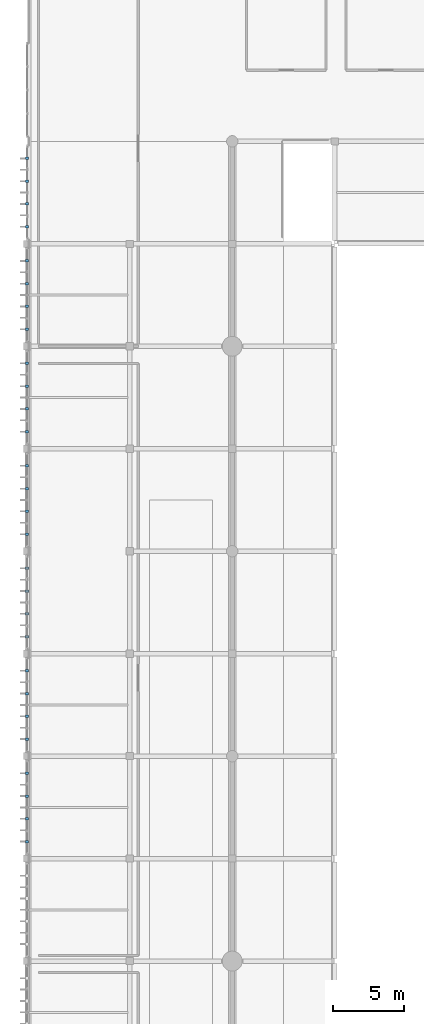
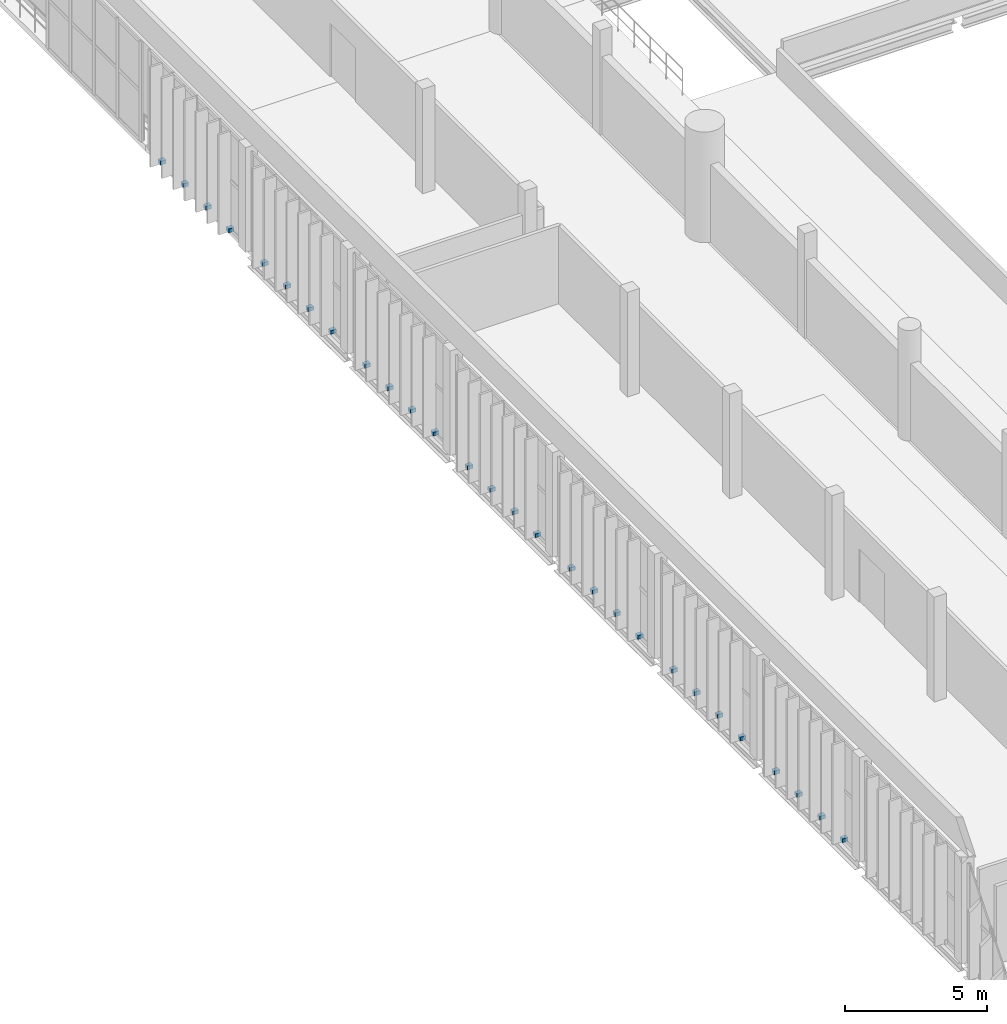
# One storey, part 55 of 64: 28 discrete accessories.
"""IFC4 building model written with IfcOpenShell, lengths in metres."""

from ifc_helpers import new_model, si_unit, direction, frame, origin, origin_2d, place, context, subcontext, project, spatial, rectangle, extrude, material, type_object, element, save


model = new_model("IFC4")

# Units and contexts
model_context = context("Model", 3, precision=1e-05, world=origin(), true_north=direction((0.0, 1.0)))
body_context = subcontext(model_context, "Body", "Model", "MODEL_VIEW")
ifc_project = project(units=[si_unit("LENGTHUNIT", "METRE"), si_unit("AREAUNIT", "SQUARE_METRE"), si_unit("VOLUMEUNIT", "CUBIC_METRE"), si_unit("PLANEANGLEUNIT", "RADIAN"), si_unit("MASSUNIT", "GRAM", prefix="KILO")], contexts=[model_context])

# Site, building, storey
site_placement = place(None, origin())
site = spatial("IfcSite", under=ifc_project, at=site_placement, CompositionType="ELEMENT")
building_placement = place(site_placement, origin())
building = spatial("IfcBuilding", under=site, at=building_placement, Name="Qandorah Velis Arena", CompositionType="ELEMENT")
storey_placement = place(building_placement, frame((0.0, 0.0, 23.0)))
storey = spatial("IfcBuildingStorey", under=building, at=storey_placement, Name="L05", CompositionType="ELEMENT", Elevation=23.0)

# Discrete accessories
ifc_material = material(Name="Stainless steel 316", Category="steel")
discrete_accessory_type = type_object("IfcDiscreteAccessoryType", Name="ARC-ACC-BRK", PredefinedType="BRACKET", material=ifc_material)
for number, where, z_axis, x_axis, name in (
    (1, (-0.030029296875, 66.0, -0.02001953125), (0.0, 0.0, 1.0), (1.0, 0.0, 0.0), "Solar fin mounting bracket BRK-0199"),
    (2, (-0.030029296875, 67.60009765625, -0.02001953125), (0.0, 0.0, 1.0), (1.0, 0.0, 0.0), "Solar fin mounting bracket BRK-0200"),
    (3, (-0.030029296875, 69.199951171875, -0.02001953125), (0.0, 0.0, 1.0), (1.0, 0.0, 0.0), "Solar fin mounting bracket BRK-0201"),
    (4, (-0.030029296875, 70.800048828125, -0.02001953125), (0.0, 0.0, 1.0), (1.0, 0.0, 0.0), "Solar fin mounting bracket BRK-0202"),
    (5, (-0.030029296875, 73.199951171875, -0.02001953125), (0.0, 0.0, 1.0), (1.0, 0.0, 0.0), "Solar fin mounting bracket BRK-0203"),
    (6, (-0.030029296875, 74.800048828125, -0.02001953125), (0.0, 0.0, 1.0), (1.0, 0.0, 0.0), "Solar fin mounting bracket BRK-0204"),
    (7, (-0.030029296875, 76.39990234375, -0.02001953125), (0.0, 0.0, 1.0), (1.0, 0.0, 0.0), "Solar fin mounting bracket BRK-0205"),
    (8, (-0.030029296875, 78.0, -0.02001953125), (0.0, 0.0, 1.0), (1.0, 0.0, 0.0), "Solar fin mounting bracket BRK-0206"),
    (9, (-0.030029296875, 80.39990234375, -0.02001953125), (0.0, 0.0, 1.0), (1.0, 0.0, 0.0), "Solar fin mounting bracket BRK-0207"),
    (10, (-0.030029296875, 82.0, -0.02001953125), (0.0, 0.0, 1.0), (1.0, 0.0, 0.0), "Solar fin mounting bracket BRK-0208"),
    (11, (-0.030029296875, 83.60009765625, -0.02001953125), (0.0, 0.0, 1.0), (1.0, 0.0, 0.0), "Solar fin mounting bracket BRK-0209"),
    (12, (-0.030029296875, 85.199951171875, -0.02001953125), (0.0, 0.0, 1.0), (1.0, 0.0, 0.0), "Solar fin mounting bracket BRK-0210"),
    (13, (-0.030029296875, 87.60009765625, -0.02001953125), (0.0, 0.0, 1.0), (1.0, 0.0, 0.0), "Solar fin mounting bracket BRK-0211"),
    (14, (-0.030029296875, 89.199951171875, -0.02001953125), (0.0, 0.0, 1.0), (1.0, 0.0, 0.0), "Solar fin mounting bracket BRK-0212"),
    (15, (-0.030029296875, 90.800048828125, -0.02001953125), (0.0, 0.0, 1.0), (1.0, 0.0, 0.0), "Solar fin mounting bracket BRK-0213"),
    (16, (-0.030029296875, 92.39990234375, -0.02001953125), (0.0, 0.0, 1.0), (1.0, 0.0, 0.0), "Solar fin mounting bracket BRK-0214"),
    (17, (-0.030029296875, 94.800048828125, -0.02001953125), (0.0, 0.0, 1.0), (1.0, 0.0, 0.0), "Solar fin mounting bracket BRK-0215"),
    (18, (-0.030029296875, 96.39990234375, -0.02001953125), (0.0, 0.0, 1.0), (1.0, 0.0, 0.0), "Solar fin mounting bracket BRK-0216"),
    (19, (-0.030029296875, 98.0, -0.02001953125), (0.0, 0.0, 1.0), (1.0, 0.0, 0.0), "Solar fin mounting bracket BRK-0217"),
    (20, (-0.030029296875, 99.60009765625, -0.02001953125), (0.0, 0.0, 1.0), (1.0, 0.0, 0.0), "Solar fin mounting bracket BRK-0218"),
    (21, (-0.030029296875, 102.0, -0.02001953125), (0.0, 0.0, 1.0), (1.0, 0.0, 0.0), "Solar fin mounting bracket BRK-0219"),
    (22, (-0.030029296875, 103.60009765625, -0.02001953125), (0.0, 0.0, 1.0), (1.0, 0.0, 0.0), "Solar fin mounting bracket BRK-0220"),
    (23, (-0.030029296875, 105.199951171875, -0.02001953125), (0.0, 0.0, 1.0), (1.0, 0.0, 0.0), "Solar fin mounting bracket BRK-0221"),
    (24, (-0.030029296875, 106.800048828125, -0.02001953125), (0.0, 0.0, 1.0), (1.0, 0.0, 0.0), "Solar fin mounting bracket BRK-0222"),
    (25, (-0.030029296875, 109.199951171875, -0.02001953125), (0.0, 0.0, 1.0), (1.0, 0.0, 0.0), "Solar fin mounting bracket BRK-0223"),
    (26, (-0.030029296875, 110.800048828125, -0.02001953125), (0.0, 0.0, 1.0), (1.0, 0.0, 0.0), "Solar fin mounting bracket BRK-0224"),
    (27, (-0.030029296875, 112.39990234375, -0.02001953125), (0.0, 0.0, 1.0), (1.0, 0.0, 0.0), "Solar fin mounting bracket BRK-0225"),
    (28, (-0.030029296875, 114.0, -0.02001953125), (0.0, 0.0, 1.0), (1.0, 0.0, 0.0), "Solar fin mounting bracket BRK-0226"),
):
    element("IfcDiscreteAccessory", number, at=place(storey_placement, frame(where, z_axis=z_axis, x_axis=x_axis)), inside=storey, type_object=discrete_accessory_type, Name=name, PredefinedType="BRACKET", context=body_context, shape_type="SweptSolid", body=[
        extrude(rectangle(XDim=0.219970703125, YDim=0.179931640625, at=origin_2d()), origin(), (0.0, 0.0, 1.0), 0.159912109375),
    ])

save(model, "model.ifc")
